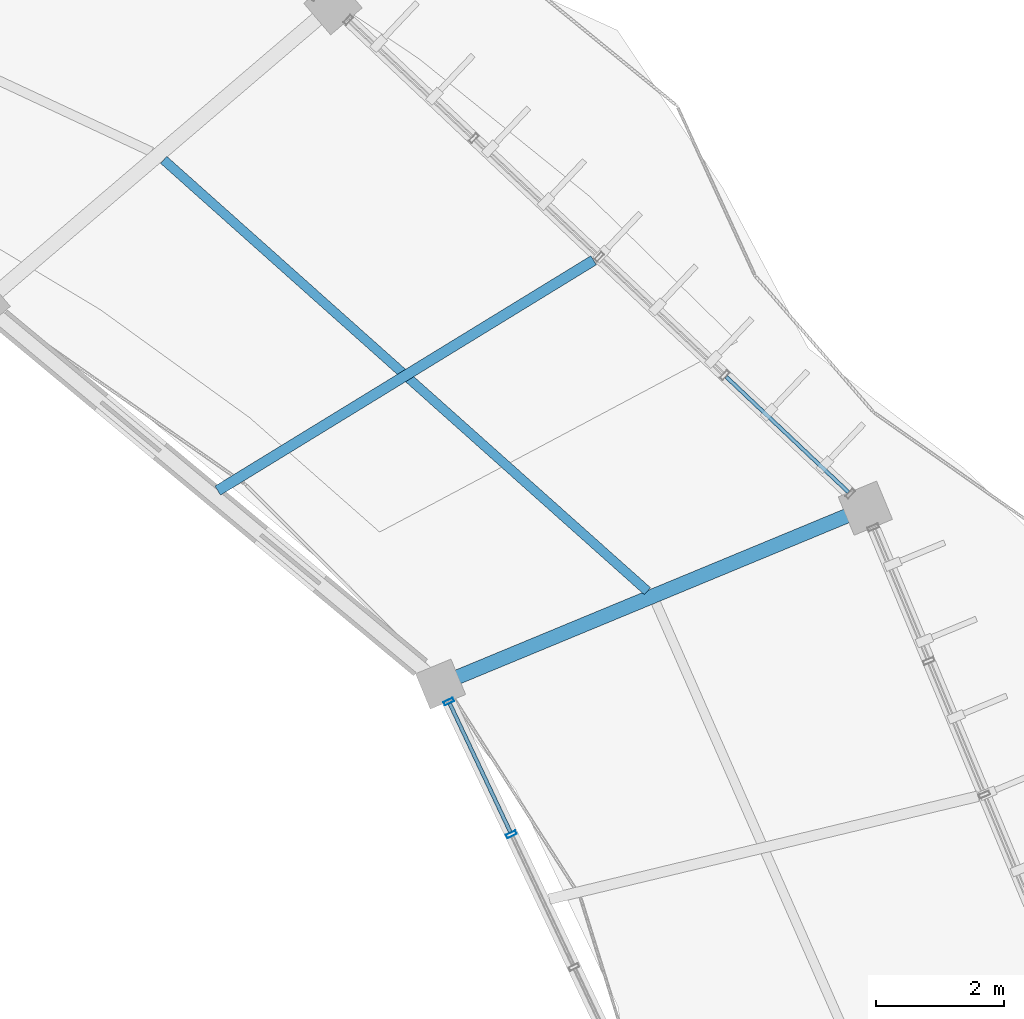
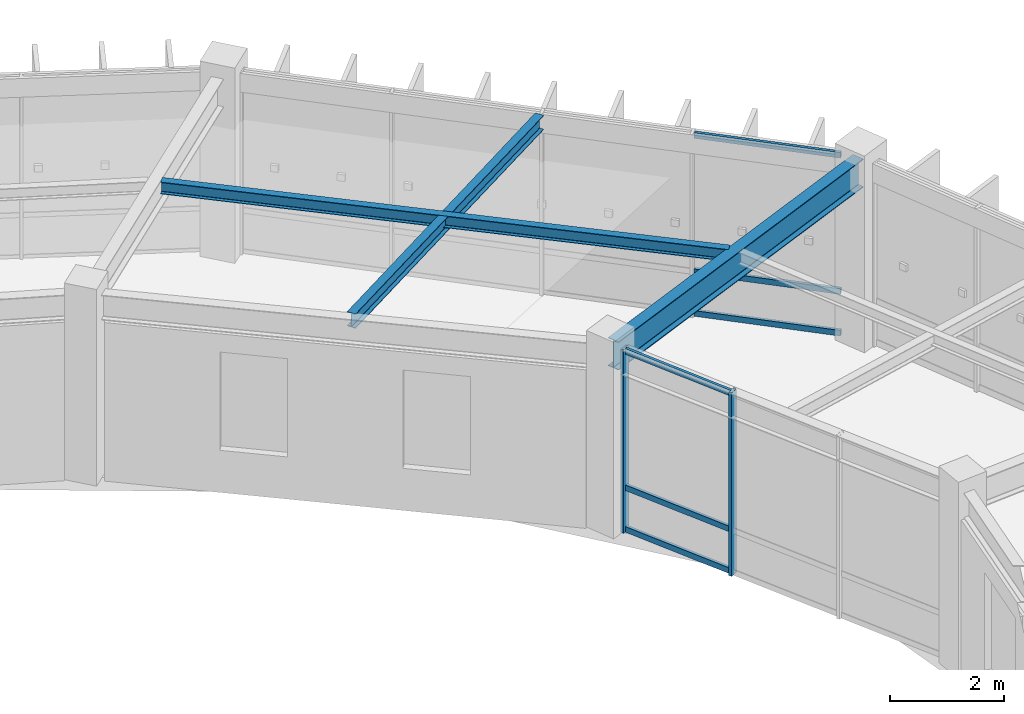
# One storey, part 80 of 114: 8 members, 3 beams, 2 elements without a shape of their own.
"""IFC4 building model written with IfcOpenShell, lengths in metres."""

from ifc_helpers import new_model, si_unit, direction, frame, origin, origin_2d, place, context, subcontext, project, spatial, hollow_rectangle, i_section, extrude, material, material_profile, profile_set, type_object, element, aggregate, save


model = new_model("IFC4")

# Units and contexts
model_context = context("Model", 3, precision=1e-05, world=origin(), true_north=direction((0.0, 1.0)))
body_context = subcontext(model_context, "Body", "Model", "MODEL_VIEW")
ifc_project = project(units=[si_unit("LENGTHUNIT", "METRE"), si_unit("AREAUNIT", "SQUARE_METRE"), si_unit("VOLUMEUNIT", "CUBIC_METRE"), si_unit("PLANEANGLEUNIT", "RADIAN"), si_unit("MASSUNIT", "GRAM", prefix="KILO"), si_unit("THERMODYNAMICTEMPERATUREUNIT", "KELVIN"), si_unit("POWERUNIT", "WATT")], contexts=[model_context])

# Site, building, storey
site_placement = place(None, origin())
site = spatial("IfcSite", under=ifc_project, at=site_placement, CompositionType="ELEMENT")
building_placement = place(site_placement, origin())
building = spatial("IfcBuilding", under=site, at=building_placement, Name="Darbajah Civic Hall", CompositionType="ELEMENT")
storey_placement = place(building_placement, frame((0.0, 0.0, 13.800048828125)))
storey = spatial("IfcBuildingStorey", under=building, at=storey_placement, Name="L03", CompositionType="ELEMENT", Elevation=13.800048828125)

# Curtain wall, members
ifc_material_1 = material(Name="Anodised Bronze Aluminium and Low-E Glazing", Category="aluminium")
curtain_wall_type_1 = type_object("IfcCurtainWallType", Name="Unitised Curtain Wall CW-55 6900x3900", PredefinedType="USERDEFINED", material=ifc_material_1)
curtain_wall_1_placement = place(storey_placement, origin())
curtain_wall_1 = element("IfcCurtainWall", 1, at=curtain_wall_1_placement, inside=storey, type_object=curtain_wall_type_1, Name="L03 unitised curtain wall CW-V1I-L03-00", ObjectType="UNITISED CURTAIN WALL", PredefinedType="USERDEFINED")
ifc_material_2 = material(Name="Anodised Bronze Aluminium", Category="aluminium")
ifc_material_profile_1 = material_profile(ifc_material_2, hollow_rectangle(XDim=0.06005859375, YDim=0.159912109375, WallThickness=0.00341796875, at=origin_2d()), Name="ALU MULLION 60x160")
ifc_profile_set_1 = profile_set([ifc_material_profile_1], Name="Anodised Bronze Aluminium")
member_type_1 = type_object("IfcMemberType", Name="ALU MULLION 60x160", PredefinedType="MULLION", material=ifc_profile_set_1)
member_1_placement = place(storey_placement, frame((130.67529296875, 95.981201171875, 0.0), z_axis=(0.0, 0.0, 1.0), x_axis=(-0.426568739901, 0.904455145454, 0.0)))
member_1 = element("IfcMember", 2, at=member_1_placement, type_object=member_type_1, Name="CW-V1I-L03-00 mullion 3", PredefinedType="MULLION", context=body_context, shape_type="SweptSolid", body=[
    extrude(hollow_rectangle(XDim=0.06005859375, YDim=0.159912109375, WallThickness=0.00341796875, at=origin_2d()), origin(), (0.0, 0.0, 1.0), 3.919921875),
])
member_2_placement = place(storey_placement, frame((129.694580078125, 98.060546875, 0.0), z_axis=(0.0, 0.0, 1.0), x_axis=(-0.426568739901, 0.904455145454, 0.0)))
member_2 = element("IfcMember", 3, at=member_2_placement, type_object=member_type_1, Name="CW-V1I-L03-00 mullion 4", PredefinedType="MULLION", context=body_context, shape_type="SweptSolid", body=[
    extrude(hollow_rectangle(XDim=0.06005859375, YDim=0.159912109375, WallThickness=0.00341796875, at=origin_2d()), origin(), (0.0, 0.0, 1.0), 3.919921875),
])
ifc_material_profile_2 = material_profile(ifc_material_2, hollow_rectangle(XDim=0.06005859375, YDim=0.1201171875, WallThickness=0.003173828125, at=origin_2d()), Name="ALU TRANSOM 60x120")
ifc_profile_set_2 = profile_set([ifc_material_profile_2], Name="Anodised Bronze Aluminium")
member_type_2 = type_object("IfcMemberType", Name="ALU TRANSOM 60x120", PredefinedType="USERDEFINED", material=ifc_profile_set_2)
member_3_placement = place(storey_placement, frame((130.660400390625, 96.012939453125, 0.06005859375), z_axis=(-0.426545977762, 0.904465880426, 0.0), x_axis=(-0.904465880426, -0.426545977762, 0.0)))
member_3 = element("IfcMember", 4, at=member_3_placement, type_object=member_type_2, Name="CW-V1I-L03-00 transom 3.1", ObjectType="TRANSOM", PredefinedType="USERDEFINED", context=body_context, shape_type="SweptSolid", body=[
    extrude(hollow_rectangle(XDim=0.06005859375, YDim=0.1201171875, WallThickness=0.003173828125, at=origin_2d()), origin(), (0.0, 0.0, 1.0), 2.228759765625),
])
member_4_placement = place(storey_placement, frame((130.660400390625, 96.012939453125, 0.949951171875), z_axis=(-0.426545977762, 0.904465880426, 0.0), x_axis=(-0.904465880426, -0.426545977762, 0.0)))
member_4 = element("IfcMember", 5, at=member_4_placement, type_object=member_type_2, Name="CW-V1I-L03-00 transom 3.2", ObjectType="TRANSOM", PredefinedType="USERDEFINED", context=body_context, shape_type="SweptSolid", body=[
    extrude(hollow_rectangle(XDim=0.06005859375, YDim=0.1201171875, WallThickness=0.003173828125, at=origin_2d()), origin(), (0.0, 0.0, 1.0), 2.228759765625),
])
member_5_placement = place(storey_placement, frame((130.660400390625, 96.012939453125, 3.85986328125), z_axis=(-0.426545977762, 0.904465880426, 0.0), x_axis=(-0.904465880426, -0.426545977762, 0.0)))
member_5 = element("IfcMember", 6, at=member_5_placement, type_object=member_type_2, Name="CW-V1I-L03-00 transom 3.3", ObjectType="TRANSOM", PredefinedType="USERDEFINED", context=body_context, shape_type="SweptSolid", body=[
    extrude(hollow_rectangle(XDim=0.06005859375, YDim=0.1201171875, WallThickness=0.003173828125, at=origin_2d()), origin(), (0.0, 0.0, 1.0), 2.228759765625),
])
aggregate(curtain_wall_1, [member_1, member_2, member_3, member_4, member_5])

curtain_wall_type_2 = type_object("IfcCurtainWallType", Name="Unitised Curtain Wall CW-39 10800x3900", PredefinedType="USERDEFINED", material=ifc_material_1)
curtain_wall_2_placement = place(storey_placement, origin())
curtain_wall_2 = element("IfcCurtainWall", 7, at=curtain_wall_2_placement, inside=storey, type_object=curtain_wall_type_2, Name="L03 unitised curtain wall CW-V1O-L03-01", ObjectType="UNITISED CURTAIN WALL", PredefinedType="USERDEFINED")
member_6_placement = place(storey_placement, frame((135.95458984375, 101.337646484375, 0.06005859375), z_axis=(-0.727170019067, 0.686457400987, 0.0), x_axis=(-0.686457400987, -0.727170019067, 0.0)))
member_6 = element("IfcMember", 8, at=member_6_placement, type_object=member_type_2, Name="CW-V1O-L03-01 transom 1.1", ObjectType="TRANSOM", PredefinedType="USERDEFINED", context=body_context, shape_type="SweptSolid", body=[
    extrude(hollow_rectangle(XDim=0.06005859375, YDim=0.1201171875, WallThickness=0.003173828125, at=origin_2d()), origin(), (0.0, 0.0, 1.0), 2.632568359375),
])
member_7_placement = place(storey_placement, frame((135.95458984375, 101.337646484375, 0.949951171875), z_axis=(-0.727170019067, 0.686457400987, 0.0), x_axis=(-0.686457400987, -0.727170019067, 0.0)))
member_7 = element("IfcMember", 9, at=member_7_placement, type_object=member_type_2, Name="CW-V1O-L03-01 transom 1.2", ObjectType="TRANSOM", PredefinedType="USERDEFINED", context=body_context, shape_type="SweptSolid", body=[
    extrude(hollow_rectangle(XDim=0.06005859375, YDim=0.1201171875, WallThickness=0.003173828125, at=origin_2d()), origin(), (0.0, 0.0, 1.0), 2.632568359375),
])
member_8_placement = place(storey_placement, frame((135.95458984375, 101.337646484375, 3.85986328125), z_axis=(-0.727170019067, 0.686457400987, 0.0), x_axis=(-0.686457400987, -0.727170019067, 0.0)))
member_8 = element("IfcMember", 10, at=member_8_placement, type_object=member_type_2, Name="CW-V1O-L03-01 transom 1.3", ObjectType="TRANSOM", PredefinedType="USERDEFINED", context=body_context, shape_type="SweptSolid", body=[
    extrude(hollow_rectangle(XDim=0.06005859375, YDim=0.1201171875, WallThickness=0.003173828125, at=origin_2d()), origin(), (0.0, 0.0, 1.0), 2.632568359375),
])
aggregate(curtain_wall_2, [member_6, member_7, member_8])

# Beams
ifc_material_3 = material(Name="Steel S355JR", Category="steel")
ifc_material_profile_3 = material_profile(ifc_material_3, i_section(OverallWidth=0.146484375, OverallDepth=0.256103515625, WebThickness=0.00634765625, FlangeThickness=0.010986328125, FilletRadius=0.007568359375, at=origin_2d()), Name="UB 254x146x37")
ifc_profile_set_3 = profile_set([ifc_material_profile_3], Name="Steel S355JR")
beam_type_1 = type_object("IfcBeamType", Name="UB 254x146x37", PredefinedType="JOIST", material=ifc_profile_set_3)
beam_1_placement = place(storey_placement, frame((132.805419921875, 99.788818359375, 3.7919921875), z_axis=(-0.746395859773, 0.665502231787, 0.0), x_axis=(-0.665502231787, -0.746395859773, 0.0)))
element("IfcBeam", 11, at=beam_1_placement, inside=storey, type_object=beam_type_1, Name="L03 beam SJ-254", PredefinedType="JOIST", context=body_context, shape_type="SweptSolid", body=[
    extrude(i_section(OverallWidth=0.146484375, OverallDepth=0.256103515625, WebThickness=0.00634765625, FlangeThickness=0.010986328125, FilletRadius=0.007568359375, at=origin_2d()), origin(), (0.0, 0.0, 1.0), 10.149658203125),
])
ifc_material_profile_4 = material_profile(ifc_material_3, i_section(OverallWidth=0.165771484375, OverallDepth=0.306640625, WebThickness=0.006591796875, FlangeThickness=0.01171875, FilletRadius=0.0087890625, at=origin_2d()), Name="UB 305x165x46")
ifc_profile_set_4 = profile_set([ifc_material_profile_4], Name="Steel S355JR")
beam_type_2 = type_object("IfcBeamType", Name="UB 305x165x46", PredefinedType="JOIST", material=ifc_profile_set_4)
beam_2_placement = place(storey_placement, frame((126.076171875, 101.363525390625, 3.7666015625), z_axis=(0.852634287744, 0.522508154351, 0.0), x_axis=(-0.522508154351, 0.852634287744, 0.0)))
element("IfcBeam", 12, at=beam_2_placement, inside=storey, type_object=beam_type_2, Name="L03 beam SJ-305", PredefinedType="JOIST", context=body_context, shape_type="SweptSolid", body=[
    extrude(i_section(OverallWidth=0.165771484375, OverallDepth=0.306640625, WebThickness=0.006591796875, FlangeThickness=0.01171875, FilletRadius=0.0087890625, at=origin_2d()), origin(), (0.0, 0.0, 1.0), 6.903564453125),
])
ifc_material_profile_5 = material_profile(ifc_material_3, i_section(OverallWidth=0.228271484375, OverallDepth=0.607666015625, WebThickness=0.010986328125, FlangeThickness=0.017333984375, FilletRadius=0.0126953125, at=origin_2d()), Name="UB 610x229x113")
ifc_profile_set_5 = profile_set([ifc_material_profile_5], Name="Steel S355JR")
beam_type_3 = type_object("IfcBeamType", Name="UB 610x229x113", PredefinedType="BEAM", material=ifc_profile_set_5)
beam_3_placement = place(storey_placement, frame((129.639892578125, 98.364501953125, 3.6162109375), z_axis=(0.923880311259, 0.382681552297, 0.0), x_axis=(-0.382681552297, 0.923880311259, 0.0)))
element("IfcBeam", 13, at=beam_3_placement, inside=storey, type_object=beam_type_3, Name="L03 beam SB-610", PredefinedType="BEAM", context=body_context, shape_type="SweptSolid", body=[
    extrude(i_section(OverallWidth=0.228271484375, OverallDepth=0.607666015625, WebThickness=0.010986328125, FlangeThickness=0.017333984375, FilletRadius=0.0126953125, at=origin_2d()), origin(), (0.0, 0.0, 1.0), 7.0400390625),
])

save(model, "model.ifc")
